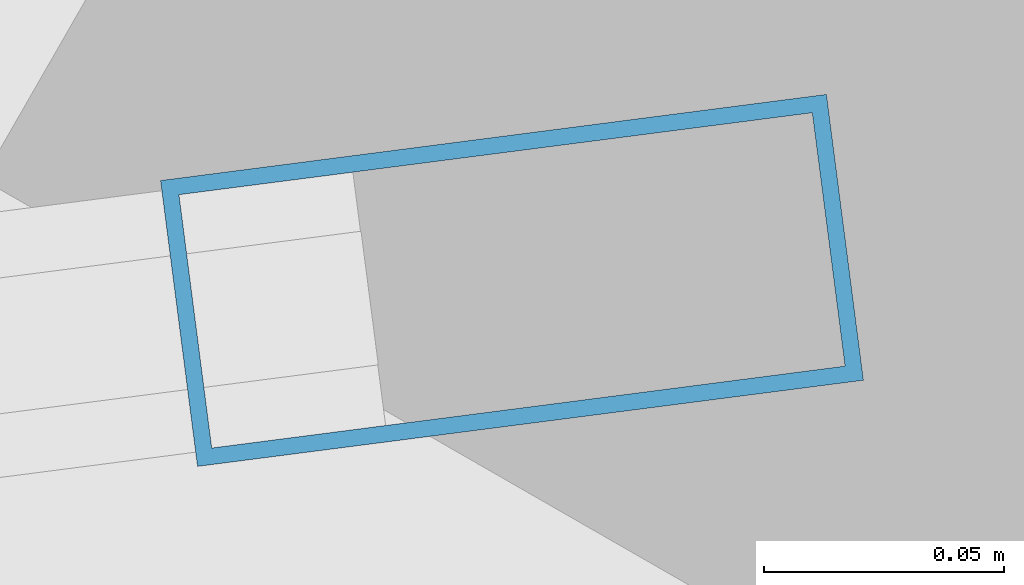
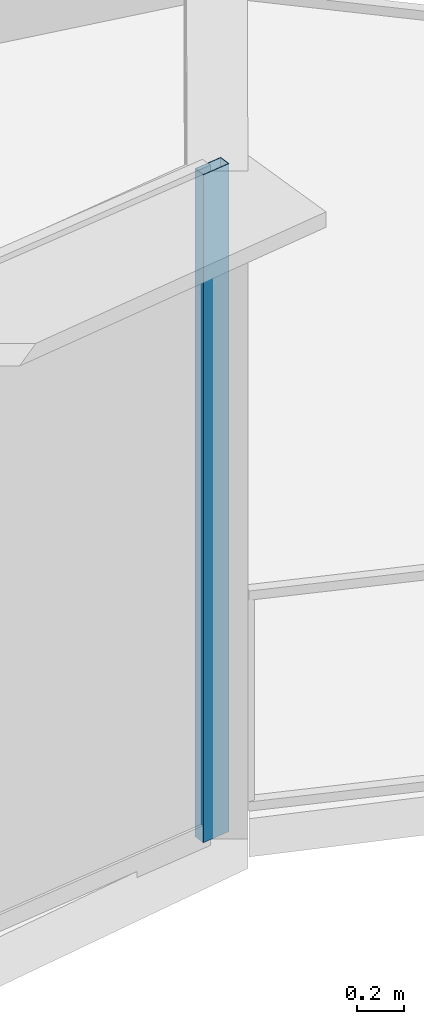
# One storey, part 14 of 34: 1 member, 1 element without a shape of its own.
"""IFC4 building model written with IfcOpenShell, lengths in metres."""

from ifc_helpers import new_model, si_unit, direction, frame, origin, origin_2d, place, context, subcontext, project, spatial, hollow_rectangle, extrude, source, transform, mapped, material, layer, layer_set, material_profile, profile_set, type_object, element, aggregate, save


model = new_model("IFC4")

# Units and contexts
model_context = context("Model", 3, precision=1e-05, world=origin(), true_north=direction((0.0, 1.0)))
body_context = subcontext(model_context, "Body", "Model", "MODEL_VIEW")
ifc_project = project(units=[si_unit("LENGTHUNIT", "METRE"), si_unit("AREAUNIT", "SQUARE_METRE"), si_unit("VOLUMEUNIT", "CUBIC_METRE"), si_unit("PLANEANGLEUNIT", "RADIAN"), si_unit("MASSUNIT", "GRAM", prefix="KILO"), si_unit("THERMODYNAMICTEMPERATUREUNIT", "KELVIN"), si_unit("POWERUNIT", "WATT")], contexts=[model_context])

# Site, building, storey
site_placement = place(None, origin())
site = spatial("IfcSite", under=ifc_project, at=site_placement, CompositionType="ELEMENT")
building_placement = place(site_placement, origin())
building = spatial("IfcBuilding", under=site, at=building_placement, Name="Yunzhuo Pagoda Commons", CompositionType="ELEMENT")
storey_placement = place(building_placement, frame((0.0, 0.0, 333.010009765625)))
storey = spatial("IfcBuildingStorey", under=building, at=storey_placement, Name="L83", CompositionType="ELEMENT", Elevation=333.010009765625)

# Curtain wall, member
ifc_material = material(Name="Anodized aluminium 6063-T6", Category="aluminium")
ifc_layer = layer(ifc_material, 0.139892578125)
ifc_layer_set = layer_set([ifc_layer], Name="Anodized aluminium 6063-T6")
curtain_wall_type = type_object("IfcCurtainWallType", Name="CW-HI High-Zone Ribbon Curtain Wall", PredefinedType="NOTDEFINED", material=ifc_layer_set)
curtain_wall_placement = place(storey_placement, origin())
curtain_wall = element("IfcCurtainWall", 1, at=curtain_wall_placement, inside=storey, type_object=curtain_wall_type, Name="L83 curtain wall CW-L83-F1B5", PredefinedType="NOTDEFINED")
ifc_material_profile = material_profile(ifc_material, hollow_rectangle(XDim=0.06005859375, YDim=0.139892578125, WallThickness=0.00341796875, at=origin_2d()), Name="Anodized aluminium 6063-T6")
ifc_profile_set = profile_set([ifc_material_profile], Name="Anodized aluminium 6063-T6")
member_type = type_object("IfcMemberType", Name="CW-HI-M Mullion RHS 140x60x3.5", PredefinedType="MULLION", material=ifc_profile_set)
shared_shape = source(origin(), body_context, "Body", "SweptSolid", [
    extrude(hollow_rectangle(XDim=0.06005859375, YDim=0.139892578125, WallThickness=0.00341796875, at=origin_2d()), origin(), (0.0, 0.0, 1.0), 3.489990234375),
])
member_placement = place(storey_placement, frame((73.7099609375, 23.134765625, 0.0), z_axis=(0.0, 0.0, 1.0), x_axis=(-0.128276018031, 0.991738505453, 0.0)))
member = element("IfcMember", 2, at=member_placement, type_object=member_type, Name="CW mullion 2", PredefinedType="MULLION", context=body_context, shape_type="MappedRepresentation", body=[
    mapped(shared_shape, transform((0.0, 0.0, 0.0), scale=1.0)),
])
aggregate(curtain_wall, [member])

save(model, "model.ifc")
